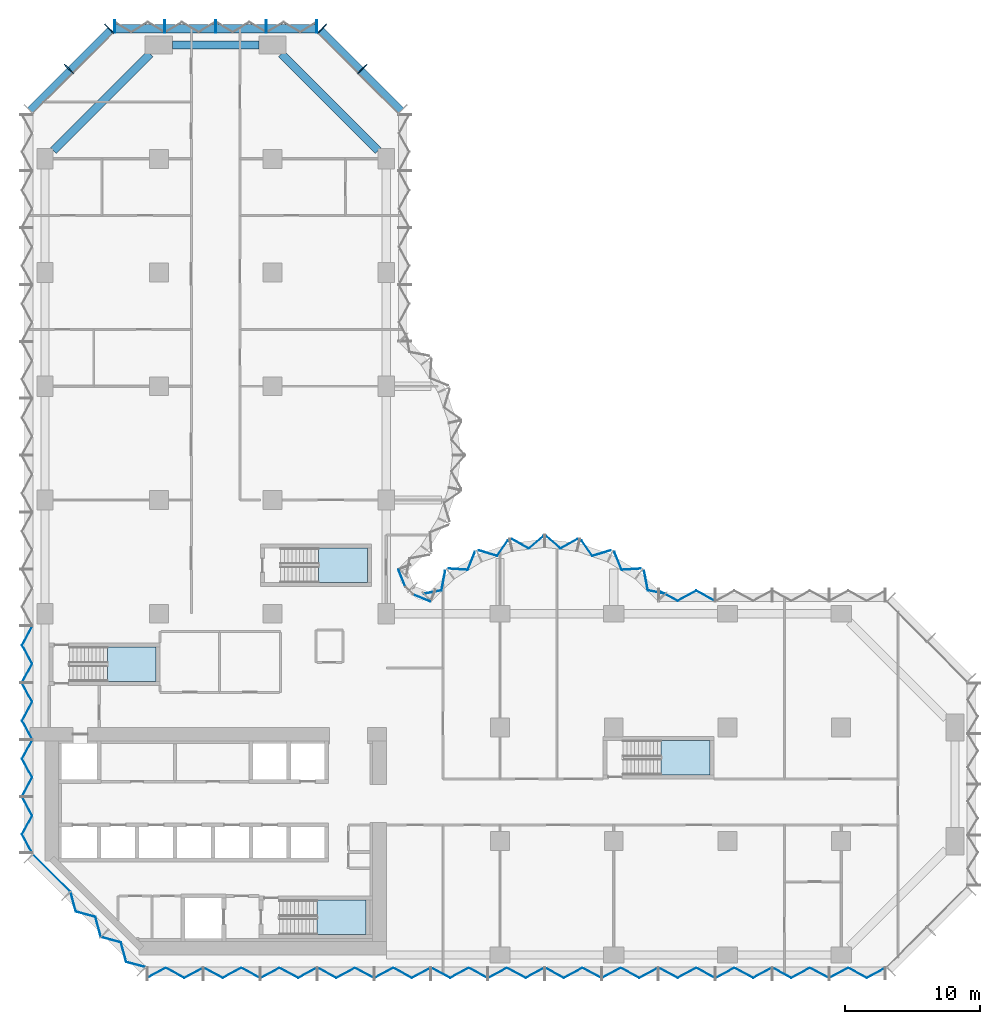
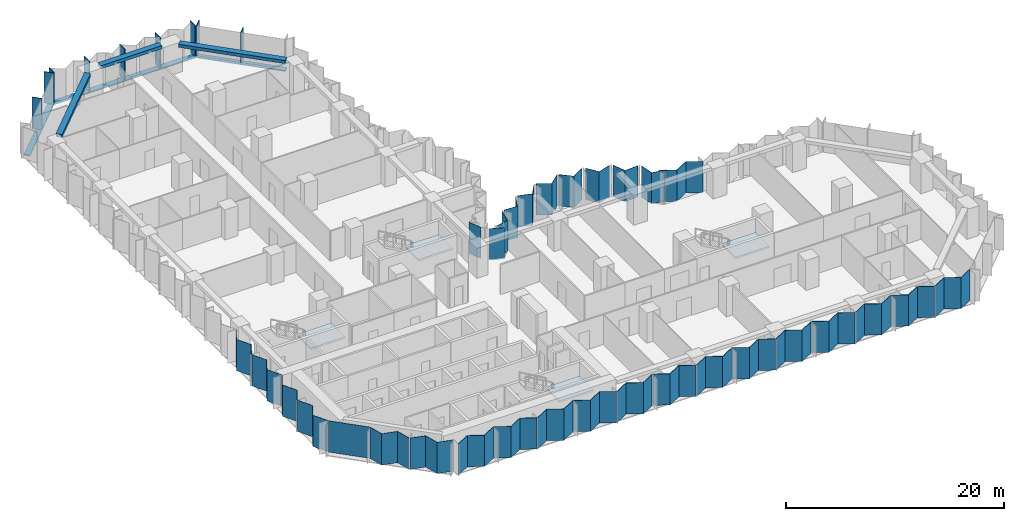
# One storey, part 5 of 15: 31 plates, 12 members, 4 slabs, 3 beams, 13 elements without a shape of their own.
"""IFC4 building model written with IfcOpenShell, lengths in metres."""

from ifc_helpers import new_model, si_unit, direction, frame, origin, origin_2d, place, context, subcontext, project, spatial, polyline, rectangle, outline, extrude, material, layer, layer_set, material_profile, profile_set, type_object, element, aggregate, save


model = new_model("IFC4")

# Units and contexts
model_context = context("Model", 3, precision=1e-05, world=origin(), true_north=direction((0.0, 1.0)))
body_context = subcontext(model_context, "Body", "Model", "MODEL_VIEW")
ifc_project = project(units=[si_unit("LENGTHUNIT", "METRE"), si_unit("AREAUNIT", "SQUARE_METRE"), si_unit("VOLUMEUNIT", "CUBIC_METRE"), si_unit("PLANEANGLEUNIT", "RADIAN"), si_unit("MASSUNIT", "GRAM", prefix="KILO")], contexts=[model_context])

# Site, building, storey
site_placement = place(None, origin())
site = spatial("IfcSite", under=ifc_project, at=site_placement, CompositionType="ELEMENT")
building_placement = place(site_placement, origin())
building = spatial("IfcBuilding", under=site, at=building_placement, Name="Brevane Broadcast Tower", CompositionType="ELEMENT")
storey_placement = place(building_placement, frame((0.0, 0.0, 65.300048828125)))
storey = spatial("IfcBuildingStorey", under=building, at=storey_placement, Name="L14", CompositionType="ELEMENT", Elevation=65.300048828125)

# Curtain wall, members
ifc_material_1 = material(Name="Aluminium 6063-T6 bronze anodised", Category="aluminium")
curtain_wall_type = type_object("IfcCurtainWallType", Name="CW-1 curtain wall", PredefinedType="NOTDEFINED", material=ifc_material_1)
curtain_wall_1_placement = place(storey_placement, origin())
curtain_wall_1 = element("IfcCurtainWall", 1, at=curtain_wall_1_placement, inside=storey, type_object=curtain_wall_type, Name="CW-1 typical tilted unit L14 north arm north-east chamfer", PredefinedType="NOTDEFINED")
ifc_material_profile_1 = material_profile(ifc_material_1, rectangle(XDim=0.949951171875, YDim=0.070068359375, at=origin_2d()), Name="RECT 70x950")
ifc_profile_set_1 = profile_set([ifc_material_profile_1], Name="Aluminium 6063-T6 bronze anodised")
member_type_1 = type_object("IfcMemberType", Name="CW-1 mullion 70x950", PredefinedType="MULLION", material=ifc_profile_set_1)
member_1_placement = place(storey_placement, frame((23.435791015625, 65.435791015625, -0.150146484375), z_axis=(0.0, 0.0, 1.0), x_axis=(-0.707106781187, -0.707106781187, 0.0)))
member_1 = element("IfcMember", 2, at=member_1_placement, type_object=member_type_1, Name="CW-1 mullion", PredefinedType="MULLION", context=body_context, shape_type="SweptSolid", body=[
    extrude(rectangle(XDim=0.949951171875, YDim=0.070068359375, at=origin_2d()), origin(), (0.0, 0.0, 1.0), 3.5),
])
member_2_placement = place(storey_placement, frame((20.460693359375, 68.4111328125, -0.150146484375), z_axis=(0.0, 0.0, 1.0), x_axis=(-0.707106781187, -0.707106781187, 0.0)))
member_2 = element("IfcMember", 3, at=member_2_placement, type_object=member_type_1, Name="CW-1 mullion", PredefinedType="MULLION", context=body_context, shape_type="SweptSolid", body=[
    extrude(rectangle(XDim=0.949951171875, YDim=0.070068359375, at=origin_2d()), origin(), (0.0, 0.0, 1.0), 3.5),
])

curtain_wall_2_placement = place(storey_placement, origin())
curtain_wall_2 = element("IfcCurtainWall", 4, at=curtain_wall_2_placement, inside=storey, type_object=curtain_wall_type, Name="CW-1 typical tilted unit L14 north end", PredefinedType="NOTDEFINED")
member_3_placement = place(storey_placement, frame((20.06494140625, 68.574951171875, -0.150146484375), z_axis=(0.0, 0.0, 1.0), x_axis=(0.0, -1.0, 0.0)))
member_3 = element("IfcMember", 5, at=member_3_placement, type_object=member_type_1, Name="CW-1 mullion", PredefinedType="MULLION", context=body_context, shape_type="SweptSolid", body=[
    extrude(rectangle(XDim=0.949951171875, YDim=0.070068359375, at=origin_2d()), origin(), (0.0, 0.0, 1.0), 3.5),
])
member_4_placement = place(storey_placement, frame((16.35009765625, 68.574951171875, -0.150146484375), z_axis=(0.0, 0.0, 1.0), x_axis=(0.0, -1.0, 0.0)))
member_4 = element("IfcMember", 6, at=member_4_placement, type_object=member_type_1, Name="CW-1 mullion", PredefinedType="MULLION", context=body_context, shape_type="SweptSolid", body=[
    extrude(rectangle(XDim=0.949951171875, YDim=0.070068359375, at=origin_2d()), origin(), (0.0, 0.0, 1.0), 3.5),
])
member_5_placement = place(storey_placement, frame((12.60009765625, 68.574951171875, -0.150146484375), z_axis=(0.0, 0.0, 1.0), x_axis=(0.0, -1.0, 0.0)))
member_5 = element("IfcMember", 7, at=member_5_placement, type_object=member_type_1, Name="CW-1 mullion", PredefinedType="MULLION", context=body_context, shape_type="SweptSolid", body=[
    extrude(rectangle(XDim=0.949951171875, YDim=0.070068359375, at=origin_2d()), origin(), (0.0, 0.0, 1.0), 3.5),
])
member_6_placement = place(storey_placement, frame((8.85009765625, 68.574951171875, -0.150146484375), z_axis=(0.0, 0.0, 1.0), x_axis=(0.0, -1.0, 0.0)))
member_6 = element("IfcMember", 8, at=member_6_placement, type_object=member_type_1, Name="CW-1 mullion", PredefinedType="MULLION", context=body_context, shape_type="SweptSolid", body=[
    extrude(rectangle(XDim=0.949951171875, YDim=0.070068359375, at=origin_2d()), origin(), (0.0, 0.0, 1.0), 3.5),
])
member_7_placement = place(storey_placement, frame((5.135009765625, 68.574951171875, -0.150146484375), z_axis=(0.0, 0.0, 1.0), x_axis=(0.0, -1.0, 0.0)))
member_7 = element("IfcMember", 9, at=member_7_placement, type_object=member_type_1, Name="CW-1 mullion", PredefinedType="MULLION", context=body_context, shape_type="SweptSolid", body=[
    extrude(rectangle(XDim=0.949951171875, YDim=0.070068359375, at=origin_2d()), origin(), (0.0, 0.0, 1.0), 3.5),
])

curtain_wall_3_placement = place(storey_placement, origin())
curtain_wall_3 = element("IfcCurtainWall", 10, at=curtain_wall_3_placement, inside=storey, type_object=curtain_wall_type, Name="CW-1 typical tilted unit L14 north-west chamfer", PredefinedType="NOTDEFINED")
member_8_placement = place(storey_placement, frame((4.7392578125, 68.4111328125, -0.150146484375), z_axis=(0.0, 0.0, 1.0), x_axis=(0.707106781187, -0.707106781187, 0.0)))
member_8 = element("IfcMember", 11, at=member_8_placement, type_object=member_type_1, Name="CW-1 mullion", PredefinedType="MULLION", context=body_context, shape_type="SweptSolid", body=[
    extrude(rectangle(XDim=0.949951171875, YDim=0.070068359375, at=origin_2d()), origin(), (0.0, 0.0, 1.0), 3.5),
])
member_9_placement = place(storey_placement, frame((1.76416015625, 65.435791015625, -0.150146484375), z_axis=(0.0, 0.0, 1.0), x_axis=(0.707106781187, -0.707106781187, 0.0)))
member_9 = element("IfcMember", 12, at=member_9_placement, type_object=member_type_1, Name="CW-1 mullion", PredefinedType="MULLION", context=body_context, shape_type="SweptSolid", body=[
    extrude(rectangle(XDim=0.949951171875, YDim=0.070068359375, at=origin_2d()), origin(), (0.0, 0.0, 1.0), 3.5),
])

# Member
ifc_material_profile_2 = material_profile(ifc_material_1, rectangle(XDim=0.60009765625, YDim=0.10009765625, at=origin_2d()), Name="RECT 100x600")
ifc_profile_set_2 = profile_set([ifc_material_profile_2], Name="Aluminium 6063-T6 bronze anodised")
member_type_2 = type_object("IfcMemberType", Name="CW-1 transom 100x600", PredefinedType="USERDEFINED", material=ifc_profile_set_2)
member_10_placement = place(storey_placement, frame((26.31201171875, 62.31201171875, -0.199951171875), z_axis=(-0.707106781187, 0.707106781187, 0.0), x_axis=(-0.707106781187, -0.707106781187, 0.0)))
member_10 = element("IfcMember", 13, at=member_10_placement, type_object=member_type_2, Name="CW-1 transom", ObjectType="TRANSOM", PredefinedType="USERDEFINED", context=body_context, shape_type="SweptSolid", body=[
    extrude(rectangle(XDim=0.60009765625, YDim=0.10009765625, at=origin_2d()), origin(), (0.0, 0.0, 1.0), 8.4853515625),
])

aggregate(curtain_wall_1, [member_1, member_2, member_10])

member_11_placement = place(storey_placement, frame((20.10009765625, 68.39990234375, -0.199951171875), z_axis=(-1.0, 0.0, 0.0), x_axis=(0.0, -1.0, 0.0)))
member_11 = element("IfcMember", 14, at=member_11_placement, type_object=member_type_2, Name="CW-1 transom", ObjectType="TRANSOM", PredefinedType="USERDEFINED", context=body_context, shape_type="SweptSolid", body=[
    extrude(rectangle(XDim=0.60009765625, YDim=0.10009765625, at=origin_2d()), origin(), (0.0, 0.0, 1.0), 15.0),
])

aggregate(curtain_wall_2, [member_3, member_4, member_5, member_6, member_7, member_11])

member_12_placement = place(storey_placement, frame((4.887939453125, 68.31201171875, -0.199951171875), z_axis=(-0.707106781187, -0.707106781187, 0.0), x_axis=(0.707106781187, -0.707106781187, 0.0)))
member_12 = element("IfcMember", 15, at=member_12_placement, type_object=member_type_2, Name="CW-1 transom", ObjectType="TRANSOM", PredefinedType="USERDEFINED", context=body_context, shape_type="SweptSolid", body=[
    extrude(rectangle(XDim=0.60009765625, YDim=0.10009765625, at=origin_2d()), origin(), (0.0, 0.0, 1.0), 8.4853515625),
])

aggregate(curtain_wall_3, [member_8, member_9, member_12])

# Beams
ifc_material_2 = material(Name="Concrete C40/50", Category="concrete")
ifc_material_profile_3 = material_profile(ifc_material_2, rectangle(XDim=0.60009765625, YDim=0.35009765625, at=origin_2d()), Name="RC 600x350")
ifc_profile_set_3 = profile_set([ifc_material_profile_3], Name="Concrete C40/50")
beam_type = type_object("IfcBeamType", Name="RC SPANDREL BEAM 600x350 C40/50", PredefinedType="SPANDREL", material=ifc_profile_set_3)
beam_1_placement = place(storey_placement, frame((24.60009765625, 59.39990234375, 3.175048828125), z_axis=(-0.707106781187, 0.707106781187, 0.0), x_axis=(-0.707106781187, -0.707106781187, 0.0)))
element("IfcBeam", 16, at=beam_1_placement, inside=storey, type_object=beam_type, Name="EB1 L14-16", PredefinedType="SPANDREL", context=body_context, shape_type="SweptSolid", body=[
    extrude(rectangle(XDim=0.60009765625, YDim=0.35009765625, at=origin_2d()), origin(), (0.0, 0.0, 1.0), 10.11181640625),
])
beam_2_placement = place(storey_placement, frame((15.800048828125, 67.199951171875, 3.175048828125), z_axis=(-1.0, 0.0, 0.0), x_axis=(0.0, -1.0, 0.0)))
element("IfcBeam", 17, at=beam_2_placement, inside=storey, type_object=beam_type, Name="EB1 L14-17", PredefinedType="SPANDREL", context=body_context, shape_type="SweptSolid", body=[
    extrude(rectangle(XDim=0.60009765625, YDim=0.35009765625, at=origin_2d()), origin(), (0.0, 0.0, 1.0), 6.400146484375),
])
beam_3_placement = place(storey_placement, frame((7.75, 66.550048828125, 3.175048828125), z_axis=(-0.707094708853, -0.707118853314, 0.0), x_axis=(0.707118853314, -0.707094708853, 0.0)))
element("IfcBeam", 18, at=beam_3_placement, inside=storey, type_object=beam_type, Name="EB1 L14-18", PredefinedType="SPANDREL", context=body_context, shape_type="SweptSolid", body=[
    extrude(rectangle(XDim=0.60009765625, YDim=0.35009765625, at=origin_2d()), origin(), (0.0, 0.0, 1.0), 10.111572265625),
])

# Curtain wall, plates
curtain_wall_4_placement = place(storey_placement, origin())
curtain_wall_4 = element("IfcCurtainWall", 19, at=curtain_wall_4_placement, inside=storey, type_object=curtain_wall_type, Name="CW-1 typical tilted unit L14 south face", PredefinedType="NOTDEFINED")
ifc_material_3 = material(Name="Laminated glass bronze-tinted", Category="glass")
ifc_layer_1 = layer(ifc_material_3, 0.0400390625)
ifc_layer_set_1 = layer_set([ifc_layer_1], Name="CW tall glass panel 40")
plate_type = type_object("IfcPlateType", Name="CW tall glass panel 40", PredefinedType="CURTAIN_PANEL", material=ifc_layer_set_1)
plate_1_placement = place(storey_placement, frame((0.0, 0.0, -0.150146484375)))
plate_1 = element("IfcPlate", 20, at=plate_1_placement, type_object=plate_type, Name="CW-1 glass panel", PredefinedType="CURTAIN_PANEL", context=body_context, shape_type="SweptSolid", body=[
    extrude(outline(polyline([(7.534912109375, -1.671630859375), (7.534912109375, -1.717041015625), (8.91162109375, -0.97265625), (10.288330078125, -1.717041015625), (11.6650390625, -0.97265625), (11.6650390625, -0.92724609375), (10.288330078125, -1.671630859375), (8.91162109375, -0.92724609375), (7.534912109375, -1.671630859375)])), origin(), (0.0, 0.0, 1.0), 3.5),
])
plate_2_placement = place(storey_placement, frame((0.0, 0.0, -0.150146484375)))
plate_2 = element("IfcPlate", 21, at=plate_2_placement, type_object=plate_type, Name="CW-1 glass panel", PredefinedType="CURTAIN_PANEL", context=body_context, shape_type="SweptSolid", body=[
    extrude(outline(polyline([(11.735107421875, -0.92724609375), (11.735107421875, -0.97265625), (13.11181640625, -1.717041015625), (14.48828125, -0.97265625), (15.864990234375, -1.717041015625), (15.864990234375, -1.671630859375), (14.48828125, -0.92724609375), (13.11181640625, -1.671630859375), (11.735107421875, -0.92724609375)])), origin(), (0.0, 0.0, 1.0), 3.5),
])
plate_3_placement = place(storey_placement, frame((0.0, 0.0, -0.150146484375)))
plate_3 = element("IfcPlate", 22, at=plate_3_placement, type_object=plate_type, Name="CW-1 glass panel", PredefinedType="CURTAIN_PANEL", context=body_context, shape_type="SweptSolid", body=[
    extrude(outline(polyline([(15.93505859375, -1.671630859375), (15.93505859375, -1.717041015625), (17.311767578125, -0.97265625), (18.688232421875, -1.717041015625), (20.06494140625, -0.97265625), (20.06494140625, -0.92724609375), (18.688232421875, -1.671630859375), (17.311767578125, -0.92724609375), (15.93505859375, -1.671630859375)])), origin(), (0.0, 0.0, 1.0), 3.5),
])
plate_4_placement = place(storey_placement, frame((0.0, 0.0, -0.150146484375)))
plate_4 = element("IfcPlate", 23, at=plate_4_placement, type_object=plate_type, Name="CW-1 glass panel", PredefinedType="CURTAIN_PANEL", context=body_context, shape_type="SweptSolid", body=[
    extrude(outline(polyline([(20.135009765625, -0.92724609375), (20.135009765625, -0.97265625), (21.51171875, -1.717041015625), (22.88818359375, -0.97265625), (24.264892578125, -1.717041015625), (24.264892578125, -1.671630859375), (22.88818359375, -0.92724609375), (21.51171875, -1.671630859375), (20.135009765625, -0.92724609375)])), origin(), (0.0, 0.0, 1.0), 3.5),
])
plate_5_placement = place(storey_placement, frame((0.0, 0.0, -0.150146484375)))
plate_5 = element("IfcPlate", 24, at=plate_5_placement, type_object=plate_type, Name="CW-1 glass panel", PredefinedType="CURTAIN_PANEL", context=body_context, shape_type="SweptSolid", body=[
    extrude(outline(polyline([(24.3349609375, -1.671630859375), (24.3349609375, -1.717041015625), (25.711669921875, -0.97265625), (27.08837890625, -1.717041015625), (28.465087890625, -0.97265625), (28.465087890625, -0.92724609375), (27.08837890625, -1.671630859375), (25.711669921875, -0.92724609375), (24.3349609375, -1.671630859375)])), origin(), (0.0, 0.0, 1.0), 3.5),
])
plate_6_placement = place(storey_placement, frame((0.0, 0.0, -0.150146484375)))
plate_6 = element("IfcPlate", 25, at=plate_6_placement, type_object=plate_type, Name="CW-1 glass panel", PredefinedType="CURTAIN_PANEL", context=body_context, shape_type="SweptSolid", body=[
    extrude(outline(polyline([(28.534912109375, -0.92724609375), (28.534912109375, -0.97265625), (29.91162109375, -1.717041015625), (31.288330078125, -0.97265625), (32.6650390625, -1.717041015625), (32.6650390625, -1.671630859375), (31.288330078125, -0.92724609375), (29.91162109375, -1.671630859375), (28.534912109375, -0.92724609375)])), origin(), (0.0, 0.0, 1.0), 3.5),
])
plate_7_placement = place(storey_placement, frame((0.0, 0.0, -0.150146484375)))
plate_7 = element("IfcPlate", 26, at=plate_7_placement, type_object=plate_type, Name="CW-1 glass panel", PredefinedType="CURTAIN_PANEL", context=body_context, shape_type="SweptSolid", body=[
    extrude(outline(polyline([(32.735107421875, -1.671630859375), (32.735107421875, -1.717041015625), (34.11181640625, -0.97265625), (35.48828125, -1.717041015625), (36.864990234375, -0.97265625), (36.864990234375, -0.92724609375), (35.48828125, -1.671630859375), (34.11181640625, -0.92724609375), (32.735107421875, -1.671630859375)])), origin(), (0.0, 0.0, 1.0), 3.5),
])
plate_8_placement = place(storey_placement, frame((0.0, 0.0, -0.150146484375)))
plate_8 = element("IfcPlate", 27, at=plate_8_placement, type_object=plate_type, Name="CW-1 glass panel", PredefinedType="CURTAIN_PANEL", context=body_context, shape_type="SweptSolid", body=[
    extrude(outline(polyline([(36.93505859375, -0.92724609375), (36.93505859375, -0.97265625), (38.311767578125, -1.717041015625), (39.688232421875, -0.97265625), (41.06494140625, -1.717041015625), (41.06494140625, -1.671630859375), (39.688232421875, -0.92724609375), (38.311767578125, -1.671630859375), (36.93505859375, -0.92724609375)])), origin(), (0.0, 0.0, 1.0), 3.5),
])
plate_9_placement = place(storey_placement, frame((0.0, 0.0, -0.150146484375)))
plate_9 = element("IfcPlate", 28, at=plate_9_placement, type_object=plate_type, Name="CW-1 glass panel", PredefinedType="CURTAIN_PANEL", context=body_context, shape_type="SweptSolid", body=[
    extrude(outline(polyline([(41.135009765625, -1.671630859375), (41.135009765625, -1.717041015625), (42.51171875, -0.97265625), (43.88818359375, -1.717041015625), (45.264892578125, -0.97265625), (45.264892578125, -0.92724609375), (43.88818359375, -1.671630859375), (42.51171875, -0.92724609375), (41.135009765625, -1.671630859375)])), origin(), (0.0, 0.0, 1.0), 3.5),
])
plate_10_placement = place(storey_placement, frame((0.0, 0.0, -0.150146484375)))
plate_10 = element("IfcPlate", 29, at=plate_10_placement, type_object=plate_type, Name="CW-1 glass panel", PredefinedType="CURTAIN_PANEL", context=body_context, shape_type="SweptSolid", body=[
    extrude(outline(polyline([(45.3349609375, -0.92724609375), (45.3349609375, -0.97265625), (46.711669921875, -1.717041015625), (48.08837890625, -0.97265625), (49.465087890625, -1.717041015625), (49.465087890625, -1.671630859375), (48.08837890625, -0.92724609375), (46.711669921875, -1.671630859375), (45.3349609375, -0.92724609375)])), origin(), (0.0, 0.0, 1.0), 3.5),
])
plate_11_placement = place(storey_placement, frame((0.0, 0.0, -0.150146484375)))
plate_11 = element("IfcPlate", 30, at=plate_11_placement, type_object=plate_type, Name="CW-1 glass panel", PredefinedType="CURTAIN_PANEL", context=body_context, shape_type="SweptSolid", body=[
    extrude(outline(polyline([(49.534912109375, -1.671630859375), (49.534912109375, -1.717041015625), (50.91162109375, -0.97265625), (52.288330078125, -1.717041015625), (53.6650390625, -0.97265625), (53.6650390625, -0.92724609375), (52.288330078125, -1.671630859375), (50.91162109375, -0.92724609375), (49.534912109375, -1.671630859375)])), origin(), (0.0, 0.0, 1.0), 3.5),
])
plate_12_placement = place(storey_placement, frame((0.0, 0.0, -0.150146484375)))
plate_12 = element("IfcPlate", 31, at=plate_12_placement, type_object=plate_type, Name="CW-1 glass panel", PredefinedType="CURTAIN_PANEL", context=body_context, shape_type="SweptSolid", body=[
    extrude(outline(polyline([(53.735107421875, -0.92724609375), (53.735107421875, -0.97265625), (55.11181640625, -1.717041015625), (56.48828125, -0.97265625), (57.864990234375, -1.717041015625), (57.864990234375, -1.671630859375), (56.48828125, -0.92724609375), (55.11181640625, -1.671630859375), (53.735107421875, -0.92724609375)])), origin(), (0.0, 0.0, 1.0), 3.5),
])
plate_13_placement = place(storey_placement, frame((0.0, 0.0, -0.150146484375)))
plate_13 = element("IfcPlate", 32, at=plate_13_placement, type_object=plate_type, Name="CW-1 glass panel", PredefinedType="CURTAIN_PANEL", context=body_context, shape_type="SweptSolid", body=[
    extrude(outline(polyline([(57.93505859375, -1.671630859375), (57.93505859375, -1.717041015625), (59.311767578125, -0.97265625), (60.688232421875, -1.717041015625), (62.06494140625, -0.97265625), (62.06494140625, -0.92724609375), (60.688232421875, -1.671630859375), (59.311767578125, -0.92724609375), (57.93505859375, -1.671630859375)])), origin(), (0.0, 0.0, 1.0), 3.5),
])
aggregate(curtain_wall_4, [plate_1, plate_2, plate_3, plate_4, plate_5, plate_6, plate_7, plate_8, plate_9, plate_10, plate_11, plate_12, plate_13])

# Curtain wall, plate
curtain_wall_5_placement = place(storey_placement, origin())
curtain_wall_5 = element("IfcCurtainWall", 33, at=curtain_wall_5_placement, inside=storey, type_object=curtain_wall_type, Name="CW-1 typical tilted unit L14 east arm north face", PredefinedType="NOTDEFINED")
plate_14_placement = place(storey_placement, frame((0.0, 0.0, -0.150146484375)))
plate_14 = element("IfcPlate", 34, at=plate_14_placement, type_object=plate_type, Name="CW-1 glass panel", PredefinedType="CURTAIN_PANEL", context=body_context, shape_type="SweptSolid", body=[
    extrude(outline(polyline([(49.465087890625, 26.127197265625), (49.465087890625, 26.172607421875), (48.08837890625, 26.9169921875), (46.711669921875, 26.172607421875), (45.3349609375, 26.9169921875), (45.3349609375, 26.87158203125), (46.711669921875, 26.127197265625), (48.08837890625, 26.87158203125), (49.465087890625, 26.127197265625)])), origin(), (0.0, 0.0, 1.0), 3.5),
])
aggregate(curtain_wall_5, [plate_14])

# Curtain wall, plates
curtain_wall_6_placement = place(storey_placement, origin())
curtain_wall_6 = element("IfcCurtainWall", 35, at=curtain_wall_6_placement, inside=storey, type_object=curtain_wall_type, Name="CW-1 typical tilted unit L14 east bow", PredefinedType="NOTDEFINED")
plate_15_placement = place(storey_placement, frame((0.0, 0.0, -0.150146484375)))
plate_15 = element("IfcPlate", 36, at=plate_15_placement, type_object=plate_type, Name="CW-1 glass panel", PredefinedType="CURTAIN_PANEL", context=body_context, shape_type="SweptSolid", body=[
    extrude(outline(polyline([(45.79150390625, 26.656005859375), (45.82470703125, 26.690185546875), (44.539306640625, 26.9423828125), (44.263916015625, 28.3857421875), (44.231201171875, 28.34375), (44.5048828125, 26.908203125), (45.79150390625, 26.656005859375)])), origin(), (0.0, 0.0, 1.0), 3.5),
])
plate_16_placement = place(storey_placement, frame((0.0, 0.0, -0.150146484375)))
plate_16 = element("IfcPlate", 37, at=plate_16_placement, type_object=plate_type, Name="CW-1 glass panel", PredefinedType="CURTAIN_PANEL", context=body_context, shape_type="SweptSolid", body=[
    extrude(outline(polyline([(43.950439453125, 28.5087890625), (43.9833984375, 28.551025390625), (42.601318359375, 28.462890625), (42.0703125, 29.76171875), (42.046875, 29.712890625), (42.5751953125, 28.42138671875), (43.950439453125, 28.5087890625)])), origin(), (0.0, 0.0, 1.0), 3.5),
])
plate_17_placement = place(storey_placement, frame((0.0, 0.0, -0.150146484375)))
plate_17 = element("IfcPlate", 38, at=plate_17_placement, type_object=plate_type, Name="CW-1 glass panel", PredefinedType="CURTAIN_PANEL", context=body_context, shape_type="SweptSolid", body=[
    extrude(outline(polyline([(41.75537109375, 29.851806640625), (41.778564453125, 29.900634765625), (40.435546875, 29.494384765625), (39.6328125, 30.622802734375), (39.62060546875, 30.57080078125), (40.41943359375, 29.44775390625), (41.75537109375, 29.851806640625)])), origin(), (0.0, 0.0, 1.0), 3.5),
])
plate_18_placement = place(storey_placement, frame((0.0, 0.0, -0.150146484375)))
plate_18 = element("IfcPlate", 39, at=plate_18_placement, type_object=plate_type, Name="CW-1 glass panel", PredefinedType="CURTAIN_PANEL", context=body_context, shape_type="SweptSolid", body=[
    extrude(outline(polyline([(39.31640625, 30.68798828125), (39.328369140625, 30.740478515625), (38.069580078125, 30.036376953125), (37.008056640625, 30.94921875), (37.008056640625, 30.896484375), (38.064697265625, 29.98779296875), (39.31640625, 30.68798828125)])), origin(), (0.0, 0.0, 1.0), 3.5),
])
plate_19_placement = place(storey_placement, frame((0.0, 0.0, -0.150146484375)))
plate_19 = element("IfcPlate", 40, at=plate_19_placement, type_object=plate_type, Name="CW-1 glass panel", PredefinedType="CURTAIN_PANEL", context=body_context, shape_type="SweptSolid", body=[
    extrude(outline(polyline([(36.7919921875, 30.896484375), (36.7919921875, 30.94921875), (35.730224609375, 30.036376953125), (34.4716796875, 30.740478515625), (34.483642578125, 30.68798828125), (35.735107421875, 29.98779296875), (36.7919921875, 30.896484375)])), origin(), (0.0, 0.0, 1.0), 3.5),
])
plate_20_placement = place(storey_placement, frame((0.0, 0.0, -0.150146484375)))
plate_20 = element("IfcPlate", 41, at=plate_20_placement, type_object=plate_type, Name="CW-1 glass panel", PredefinedType="CURTAIN_PANEL", context=body_context, shape_type="SweptSolid", body=[
    extrude(outline(polyline([(34.17919921875, 30.57080078125), (34.167236328125, 30.622802734375), (33.364501953125, 29.494384765625), (32.021484375, 29.900634765625), (32.044677734375, 29.851806640625), (33.380615234375, 29.44775390625), (34.17919921875, 30.57080078125)])), origin(), (0.0, 0.0, 1.0), 3.5),
])
plate_21_placement = place(storey_placement, frame((0.0, 0.0, -0.150146484375)))
plate_21 = element("IfcPlate", 42, at=plate_21_placement, type_object=plate_type, Name="CW-1 glass panel", PredefinedType="CURTAIN_PANEL", context=body_context, shape_type="SweptSolid", body=[
    extrude(outline(polyline([(31.753173828125, 29.712890625), (31.729736328125, 29.76171875), (31.198486328125, 28.462890625), (29.816650390625, 28.551025390625), (29.849609375, 28.5087890625), (31.224609375, 28.42138671875), (31.753173828125, 29.712890625)])), origin(), (0.0, 0.0, 1.0), 3.5),
])
plate_22_placement = place(storey_placement, frame((0.0, 0.0, -0.150146484375)))
plate_22 = element("IfcPlate", 43, at=plate_22_placement, type_object=plate_type, Name="CW-1 glass panel", PredefinedType="CURTAIN_PANEL", context=body_context, shape_type="SweptSolid", body=[
    extrude(outline(polyline([(29.568603515625, 28.34375), (29.535888671875, 28.3857421875), (29.2607421875, 26.9423828125), (27.975341796875, 26.690185546875), (28.008544921875, 26.656005859375), (29.294921875, 26.908203125), (29.568603515625, 28.34375)])), origin(), (0.0, 0.0, 1.0), 3.5),
])
aggregate(curtain_wall_6, [plate_15, plate_16, plate_17, plate_18, plate_19, plate_20, plate_21, plate_22])

curtain_wall_7_placement = place(storey_placement, origin())
curtain_wall_7 = element("IfcCurtainWall", 44, at=curtain_wall_7_placement, inside=storey, type_object=curtain_wall_type, Name="CW-1 typical tilted unit L14 inner corner", PredefinedType="NOTDEFINED")
plate_23_placement = place(storey_placement, frame((0.0, 0.0, -0.150146484375)))
plate_23 = element("IfcPlate", 45, at=plate_23_placement, type_object=plate_type, Name="CW-1 glass panel", PredefinedType="CURTAIN_PANEL", context=body_context, shape_type="SweptSolid", body=[
    extrude(outline(polyline([(28.45166015625, 26.07470703125), (28.466796875, 26.111572265625), (27.2021484375, 26.635498046875), (27.17138671875, 26.60498046875), (28.45166015625, 26.07470703125)])), origin(), (0.0, 0.0, 1.0), 3.5),
])
plate_24_placement = place(storey_placement, frame((0.0, 0.0, -0.150146484375)))
plate_24 = element("IfcPlate", 46, at=plate_24_placement, type_object=plate_type, Name="CW-1 glass panel", PredefinedType="CURTAIN_PANEL", context=body_context, shape_type="SweptSolid", body=[
    extrude(outline(polyline([(26.60498046875, 27.17138671875), (26.635498046875, 27.2021484375), (26.111572265625, 28.466796875), (26.07470703125, 28.45166015625), (26.60498046875, 27.17138671875)])), origin(), (0.0, 0.0, 1.0), 3.5),
])
aggregate(curtain_wall_7, [plate_23, plate_24])

curtain_wall_8_placement = place(storey_placement, origin())
curtain_wall_8 = element("IfcCurtainWall", 47, at=curtain_wall_8_placement, inside=storey, type_object=curtain_wall_type, Name="CW-1 typical tilted unit L14 west face", PredefinedType="NOTDEFINED")
plate_25_placement = place(storey_placement, frame((0.0, 0.0, -0.150146484375)))
plate_25 = element("IfcPlate", 48, at=plate_25_placement, type_object=plate_type, Name="CW-1 glass panel", PredefinedType="CURTAIN_PANEL", context=body_context, shape_type="SweptSolid", body=[
    extrude(outline(polyline([(-0.92724609375, 24.264892578125), (-0.97265625, 24.264892578125), (-1.717041015625, 22.88818359375), (-0.97265625, 21.51171875), (-1.717041015625, 20.135009765625), (-1.671630859375, 20.135009765625), (-0.92724609375, 21.51171875), (-1.671630859375, 22.88818359375), (-0.92724609375, 24.264892578125)])), origin(), (0.0, 0.0, 1.0), 3.5),
])
plate_26_placement = place(storey_placement, frame((0.0, 0.0, -0.150146484375)))
plate_26 = element("IfcPlate", 49, at=plate_26_placement, type_object=plate_type, Name="CW-1 glass panel", PredefinedType="CURTAIN_PANEL", context=body_context, shape_type="SweptSolid", body=[
    extrude(outline(polyline([(-1.671630859375, 20.06494140625), (-1.717041015625, 20.06494140625), (-0.97265625, 18.688232421875), (-1.717041015625, 17.311767578125), (-0.97265625, 15.93505859375), (-0.92724609375, 15.93505859375), (-1.671630859375, 17.311767578125), (-0.92724609375, 18.688232421875), (-1.671630859375, 20.06494140625)])), origin(), (0.0, 0.0, 1.0), 3.5),
])
plate_27_placement = place(storey_placement, frame((0.0, 0.0, -0.150146484375)))
plate_27 = element("IfcPlate", 50, at=plate_27_placement, type_object=plate_type, Name="CW-1 glass panel", PredefinedType="CURTAIN_PANEL", context=body_context, shape_type="SweptSolid", body=[
    extrude(outline(polyline([(-0.92724609375, 15.864990234375), (-0.97265625, 15.864990234375), (-1.717041015625, 14.48828125), (-0.97265625, 13.11181640625), (-1.717041015625, 11.735107421875), (-1.671630859375, 11.735107421875), (-0.92724609375, 13.11181640625), (-1.671630859375, 14.48828125), (-0.92724609375, 15.864990234375)])), origin(), (0.0, 0.0, 1.0), 3.5),
])
plate_28_placement = place(storey_placement, frame((0.0, 0.0, -0.150146484375)))
plate_28 = element("IfcPlate", 51, at=plate_28_placement, type_object=plate_type, Name="CW-1 glass panel", PredefinedType="CURTAIN_PANEL", context=body_context, shape_type="SweptSolid", body=[
    extrude(outline(polyline([(-1.671630859375, 11.6650390625), (-1.717041015625, 11.6650390625), (-0.97265625, 10.288330078125), (-1.717041015625, 8.91162109375), (-0.97265625, 7.534912109375), (-0.92724609375, 7.534912109375), (-1.671630859375, 8.91162109375), (-0.92724609375, 10.288330078125), (-1.671630859375, 11.6650390625)])), origin(), (0.0, 0.0, 1.0), 3.5),
])
aggregate(curtain_wall_8, [plate_25, plate_26, plate_27, plate_28])

curtain_wall_9_placement = place(storey_placement, origin())
curtain_wall_9 = element("IfcCurtainWall", 52, at=curtain_wall_9_placement, inside=storey, type_object=curtain_wall_type, Name="CW-1 typical tilted unit L14 south-west chamfer", PredefinedType="NOTDEFINED")
plate_29_placement = place(storey_placement, frame((0.0, 0.0, -0.150146484375)))
plate_29 = element("IfcPlate", 53, at=plate_29_placement, type_object=plate_type, Name="CW-1 glass panel", PredefinedType="CURTAIN_PANEL", context=body_context, shape_type="SweptSolid", body=[
    extrude(outline(polyline([(-0.896484375, 7.4541015625), (1.85400390625, 4.70361328125), (1.82568359375, 4.67529296875), (-0.9248046875, 7.42578125), (-0.896484375, 7.4541015625)])), origin(), (0.0, 0.0, 1.0), 3.5),
])
plate_30_placement = place(storey_placement, frame((0.0, 0.0, -0.150146484375)))
plate_30 = element("IfcPlate", 54, at=plate_30_placement, type_object=plate_type, Name="CW-1 glass panel", PredefinedType="CURTAIN_PANEL", context=body_context, shape_type="SweptSolid", body=[
    extrude(outline(polyline([(1.90576171875, 4.65625), (1.873046875, 4.62353515625), (2.263671875, 3.180419921875), (3.706787109375, 2.789794921875), (4.09716796875, 1.3466796875), (4.1298828125, 1.37939453125), (3.739501953125, 2.822509765625), (2.296142578125, 3.212890625), (1.90576171875, 4.65625)])), origin(), (0.0, 0.0, 1.0), 3.5),
])
plate_31_placement = place(storey_placement, frame((0.0, 0.0, -0.150146484375)))
plate_31 = element("IfcPlate", 55, at=plate_31_placement, type_object=plate_type, Name="CW-1 glass panel", PredefinedType="CURTAIN_PANEL", context=body_context, shape_type="SweptSolid", body=[
    extrude(outline(polyline([(4.17919921875, 1.329833984375), (4.146728515625, 1.297119140625), (5.58984375, 0.90673828125), (5.98046875, -0.536376953125), (7.423583984375, -0.927001953125), (7.456298828125, -0.894287109375), (6.012939453125, -0.50390625), (5.62255859375, 0.939453125), (4.17919921875, 1.329833984375)])), origin(), (0.0, 0.0, 1.0), 3.5),
])
aggregate(curtain_wall_9, [plate_29, plate_30, plate_31])

# Stair, slab
ifc_material_4 = material(Name="Concrete C50/60", Category="concrete")
stair_type = type_object("IfcStairType", Name="Exit stair 22 risers", PredefinedType="HALF_TURN_STAIR", material=ifc_material_4)
stair_1_placement = place(storey_placement, origin())
stair_1 = element("IfcStair", 56, at=stair_1_placement, inside=storey, type_object=stair_type, Name="L14 Exit stair ST-1", PredefinedType="HALF_TURN_STAIR")
ifc_layer_2 = layer(ifc_material_4, 0.199951171875)
ifc_layer_set_2 = layer_set([ifc_layer_2], Name="Exit stair landing")
slab_type = type_object("IfcSlabType", Name="Exit stair landing", PredefinedType="LANDING", material=ifc_layer_set_2)
slab_1_placement = place(storey_placement, frame((0.0, 0.0, 1.599853515625)))
slab_1 = element("IfcSlab", 57, at=slab_1_placement, type_object=slab_type, Name="ST-1 landing 1", PredefinedType="LANDING", context=body_context, shape_type="SweptSolid", body=[
    extrude(outline(polyline([(4.60009765625, 20.199951171875), (8.199951171875, 20.199951171875), (8.199951171875, 22.75), (4.60009765625, 22.75), (4.60009765625, 20.199951171875)])), origin(), (0.0, 0.0, 1.0), 0.2001953125),
])
aggregate(stair_1, [slab_1])

stair_2_placement = place(storey_placement, origin())
stair_2 = element("IfcStair", 58, at=stair_2_placement, inside=storey, type_object=stair_type, Name="L14 Exit stair ST-2", PredefinedType="HALF_TURN_STAIR")
slab_2_placement = place(storey_placement, frame((0.0, 0.0, 1.599853515625)))
slab_2 = element("IfcSlab", 59, at=slab_2_placement, type_object=slab_type, Name="ST-2 landing 1", PredefinedType="LANDING", context=body_context, shape_type="SweptSolid", body=[
    extrude(outline(polyline([(20.10009765625, 1.5), (23.699951171875, 1.5), (23.699951171875, 4.050048828125), (20.10009765625, 4.050048828125), (20.10009765625, 1.5)])), origin(), (0.0, 0.0, 1.0), 0.2001953125),
])
aggregate(stair_2, [slab_2])

stair_3_placement = place(storey_placement, origin())
stair_3 = element("IfcStair", 60, at=stair_3_placement, inside=storey, type_object=stair_type, Name="L14 Exit stair ST-3", PredefinedType="HALF_TURN_STAIR")
slab_3_placement = place(storey_placement, frame((0.0, 0.0, 1.599853515625)))
slab_3 = element("IfcSlab", 61, at=slab_3_placement, type_object=slab_type, Name="ST-3 landing 1", PredefinedType="LANDING", context=body_context, shape_type="SweptSolid", body=[
    extrude(outline(polyline([(20.199951171875, 27.5), (23.800048828125, 27.5), (23.800048828125, 30.050048828125), (20.199951171875, 30.050048828125), (20.199951171875, 27.5)])), origin(), (0.0, 0.0, 1.0), 0.2001953125),
])
aggregate(stair_3, [slab_3])

stair_4_placement = place(storey_placement, origin())
stair_4 = element("IfcStair", 62, at=stair_4_placement, inside=storey, type_object=stair_type, Name="L14 Exit stair ST-4", PredefinedType="HALF_TURN_STAIR")
slab_4_placement = place(storey_placement, frame((0.0, 0.0, 1.599853515625)))
slab_4 = element("IfcSlab", 63, at=slab_4_placement, type_object=slab_type, Name="ST-4 landing 1", PredefinedType="LANDING", context=body_context, shape_type="SweptSolid", body=[
    extrude(outline(polyline([(45.5, 13.300048828125), (49.10009765625, 13.300048828125), (49.10009765625, 15.85009765625), (45.5, 15.85009765625), (45.5, 13.300048828125)])), origin(), (0.0, 0.0, 1.0), 0.2001953125),
])
aggregate(stair_4, [slab_4])

save(model, "model.ifc")
